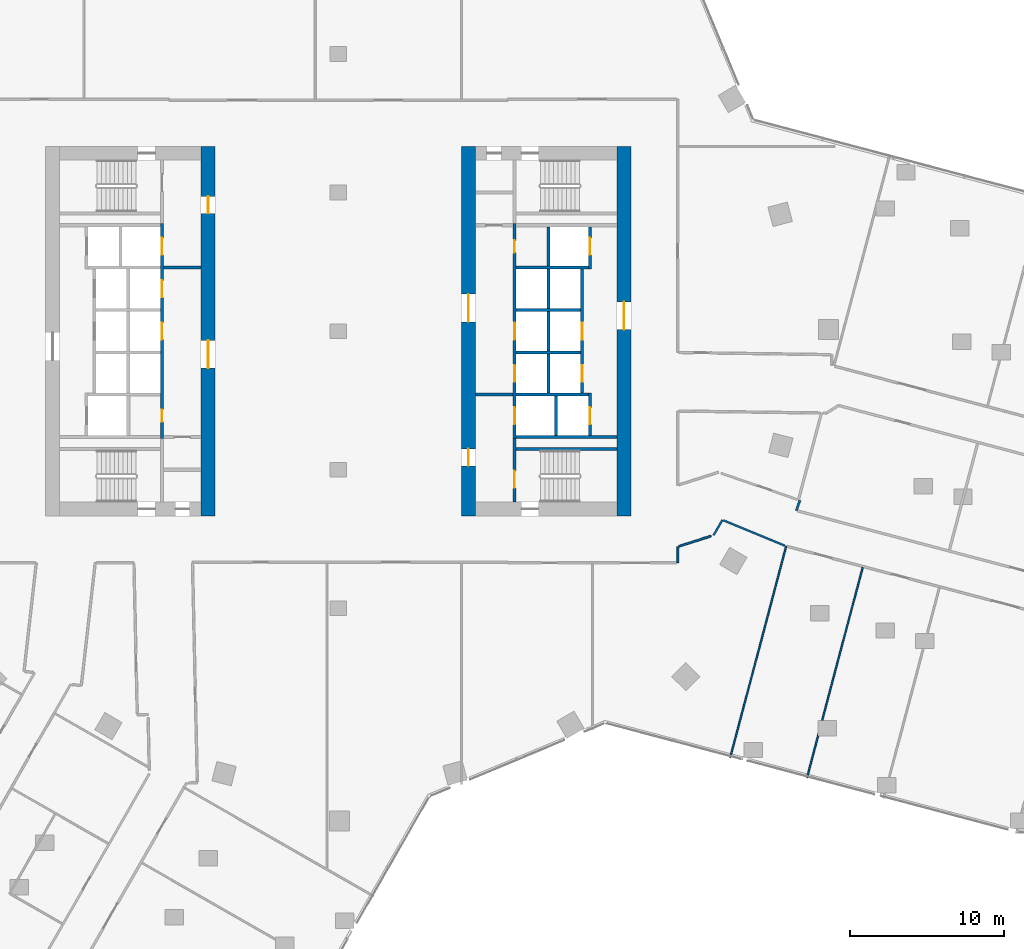
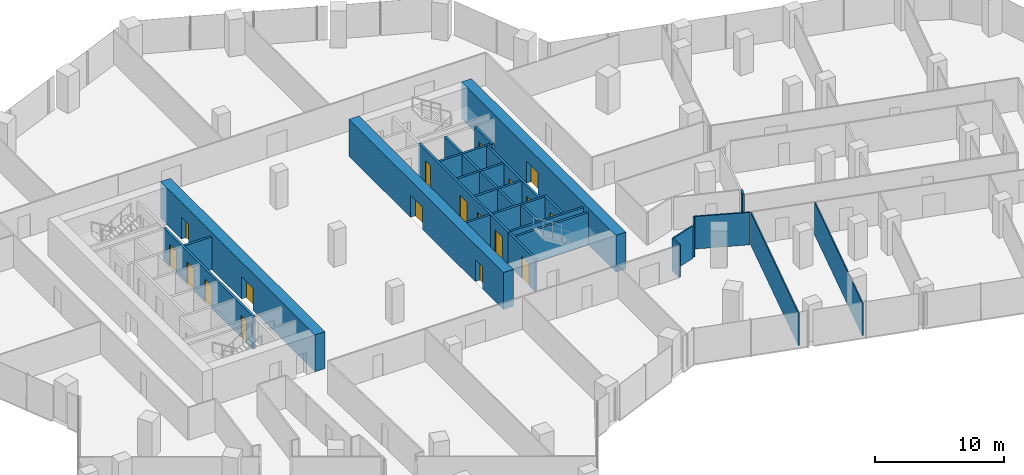
# One storey, part 28 of 34: 29 walls, 18 doors, 18 openings.
"""IFC4 building model written with IfcOpenShell, lengths in metres."""

from ifc_helpers import new_model, si_unit, direction, frame, frame_2d, origin, place, context, subcontext, project, spatial, rectangle, extrude, material, layer, layer_set, type_object, element, fill, save


model = new_model("IFC4")

# Units and contexts
model_context = context("Model", 3, precision=1e-05, world=origin(), true_north=direction((0.0, 1.0)))
body_context = subcontext(model_context, "Body", "Model", "MODEL_VIEW")
ifc_project = project(units=[si_unit("LENGTHUNIT", "METRE"), si_unit("AREAUNIT", "SQUARE_METRE"), si_unit("VOLUMEUNIT", "CUBIC_METRE"), si_unit("PLANEANGLEUNIT", "RADIAN"), si_unit("MASSUNIT", "GRAM", prefix="KILO")], contexts=[model_context])

# Site, building, storey
site_placement = place(None, origin())
site = spatial("IfcSite", under=ifc_project, at=site_placement, CompositionType="ELEMENT")
building_placement = place(site_placement, origin())
building = spatial("IfcBuilding", under=site, at=building_placement, Name="Orlundy Tower", CompositionType="ELEMENT")
storey_placement = place(building_placement, frame((0.0, 0.0, 112.699951171875)))
storey = spatial("IfcBuildingStorey", under=building, at=storey_placement, Name="L28", CompositionType="ELEMENT", Elevation=112.699951171875)

# Wall, openings, doors
ifc_material_1 = material(Name="Concrete C80/95", Category="concrete")
ifc_layer_1 = layer(ifc_material_1, 0.89990234375)
ifc_layer_set_1 = layer_set([ifc_layer_1], Name="CORE WALL 900 C80/95")
wall_type_1 = type_object("IfcWallType", Name="CORE WALL 900 C80/95", PredefinedType="SHEAR", material=ifc_layer_set_1)
wall_1_placement = place(storey_placement, frame((-8.449951171875, -12.0, 0.0), z_axis=(0.0, 0.0, 1.0), x_axis=(0.0, 1.0, 0.0)))
wall_1 = element("IfcWall", 1, at=wall_1_placement, inside=storey, type_object=wall_type_1, Name="Core wall W-E L28", PredefinedType="SHEAR", context=body_context, shape_type="SweptSolid", body=[
    extrude(rectangle(XDim=24.0, YDim=0.89990234375, at=frame_2d((12.0, 0.0))), origin(), (0.0, 0.0, 1.0), 3.5),
])
opening_1_placement = place(wall_1_placement, frame((9.60009765625, 0.0, 0.0)))
opening_1 = element("IfcOpeningElement", 2, at=opening_1_placement, cuts=wall_1, Name="Opening 21009", PredefinedType="OPENING", context=body_context, shape_type="SweptSolid", body=[
    extrude(rectangle(XDim=1.800048828125, YDim=2.10009765625, at=frame_2d((0.89990234375, 1.050048828125))), frame((0.0, 0.4599609375, 0.0), z_axis=(0.0, -1.0, 0.0), x_axis=(1.0, 0.0, 0.0)), (0.0, 0.0, 1.0), 0.919921875),
])
opening_2_placement = place(wall_1_placement, frame((19.64990234375, 0.0, 0.0)))
opening_2 = element("IfcOpeningElement", 3, at=opening_2_placement, cuts=wall_1, Name="Opening 21011", PredefinedType="OPENING", context=body_context, shape_type="SweptSolid", body=[
    extrude(rectangle(XDim=1.10009765625, YDim=2.10009765625, at=frame_2d((0.550048828125, 1.050048828125))), frame((0.0, 0.4599609375, 0.0), z_axis=(0.0, -1.0, 0.0), x_axis=(1.0, 0.0, 0.0)), (0.0, 0.0, 1.0), 0.919921875),
])
ifc_material_2 = material(Name="Steel door set", Category="steel")
door_type_1 = type_object("IfcDoorType", Name="Fire-fighting Lobby Door 1100x2100", OperationType="SINGLE_SWING_LEFT", PredefinedType="DOOR", material=ifc_material_2)
door_1_placement = place(opening_2_placement, origin())
door_1 = element("IfcDoor", 4, at=door_1_placement, inside=storey, type_object=door_type_1, Name="Fire-fighting lobby door 21011", OperationType="SINGLE_SWING_RIGHT", OverallHeight=2.10009765625, OverallWidth=1.10009765625, PredefinedType="DOOR", context=body_context, shape_type="SweptSolid", body=[
    extrude(rectangle(XDim=1.10009765625, YDim=2.10009765625, at=frame_2d((0.550048828125, 1.050048828125))), frame((0.0, 0.02490234375, 0.0), z_axis=(0.0, -1.0, 0.0), x_axis=(1.0, 0.0, 0.0)), (0.0, 0.0, 1.0), 0.050048828125),
])
fill(opening_2, door_1)
ifc_material_3 = material(Name="Timber door set", Category="wood")
door_type_2 = type_object("IfcDoorType", Name="Lobby Door 1800x2100", OperationType="DOUBLE_DOOR_DOUBLE_SWING", PredefinedType="DOOR", material=ifc_material_3)
door_2_placement = place(opening_1_placement, origin())
door_2 = element("IfcDoor", 5, at=door_2_placement, inside=storey, type_object=door_type_2, Name="Lift lobby door 21009", OperationType="SINGLE_SWING_LEFT", OverallHeight=2.10009765625, OverallWidth=1.800048828125, PredefinedType="DOOR", context=body_context, shape_type="SweptSolid", body=[
    extrude(rectangle(XDim=1.800048828125, YDim=2.10009765625, at=frame_2d((0.89990234375, 1.050048828125))), frame((0.0, 0.02490234375, 0.0), z_axis=(0.0, -1.0, 0.0), x_axis=(1.0, 0.0, 0.0)), (0.0, 0.0, 1.0), 0.050048828125),
])
fill(opening_1, door_2)

wall_2_placement = place(storey_placement, frame((8.449951171875, -12.0, 0.0), z_axis=(0.0, 0.0, 1.0), x_axis=(0.0, 1.0, 0.0)))
wall_2 = element("IfcWall", 6, at=wall_2_placement, inside=storey, type_object=wall_type_1, Name="Core wall E-W L28", PredefinedType="SHEAR", context=body_context, shape_type="SweptSolid", body=[
    extrude(rectangle(XDim=24.0, YDim=0.89990234375, at=frame_2d((12.0, 0.0))), origin(), (0.0, 0.0, 1.0), 3.5),
])
opening_3_placement = place(wall_2_placement, frame((12.60009765625, 0.0, 0.0)))
opening_3 = element("IfcOpeningElement", 7, at=opening_3_placement, cuts=wall_2, Name="Opening 21058", PredefinedType="OPENING", context=body_context, shape_type="SweptSolid", body=[
    extrude(rectangle(XDim=1.800048828125, YDim=2.10009765625, at=frame_2d((0.89990234375, 1.050048828125))), frame((0.0, 0.4599609375, 0.0), z_axis=(0.0, -1.0, 0.0), x_axis=(1.0, 0.0, 0.0)), (0.0, 0.0, 1.0), 0.919921875),
])
opening_4_placement = place(wall_2_placement, frame((3.25, 0.0, 0.0)))
opening_4 = element("IfcOpeningElement", 8, at=opening_4_placement, cuts=wall_2, Name="Opening 21060", PredefinedType="OPENING", context=body_context, shape_type="SweptSolid", body=[
    extrude(rectangle(XDim=1.10009765625, YDim=2.10009765625, at=frame_2d((0.550048828125, 1.050048828125))), frame((0.0, 0.4599609375, 0.0), z_axis=(0.0, -1.0, 0.0), x_axis=(1.0, 0.0, 0.0)), (0.0, 0.0, 1.0), 0.919921875),
])
door_3_placement = place(opening_4_placement, origin())
door_3 = element("IfcDoor", 9, at=door_3_placement, inside=storey, type_object=door_type_1, Name="Fire-fighting lobby door 21060", OperationType="SINGLE_SWING_LEFT", OverallHeight=2.10009765625, OverallWidth=1.10009765625, PredefinedType="DOOR", context=body_context, shape_type="SweptSolid", body=[
    extrude(rectangle(XDim=1.10009765625, YDim=2.10009765625, at=frame_2d((0.550048828125, 1.050048828125))), frame((0.0, 0.02490234375, 0.0), z_axis=(0.0, -1.0, 0.0), x_axis=(1.0, 0.0, 0.0)), (0.0, 0.0, 1.0), 0.050048828125),
])
fill(opening_4, door_3)
door_4_placement = place(opening_3_placement, origin())
door_4 = element("IfcDoor", 10, at=door_4_placement, inside=storey, type_object=door_type_2, Name="Lift lobby door 21058", OperationType="SINGLE_SWING_RIGHT", OverallHeight=2.10009765625, OverallWidth=1.800048828125, PredefinedType="DOOR", context=body_context, shape_type="SweptSolid", body=[
    extrude(rectangle(XDim=1.800048828125, YDim=2.10009765625, at=frame_2d((0.89990234375, 1.050048828125))), frame((0.0, 0.02490234375, 0.0), z_axis=(0.0, -1.0, 0.0), x_axis=(1.0, 0.0, 0.0)), (0.0, 0.0, 1.0), 0.050048828125),
])
fill(opening_3, door_4)

# Wall, opening, door
wall_3_placement = place(storey_placement, frame((18.550048828125, -12.0, 0.0), z_axis=(0.0, 0.0, 1.0), x_axis=(0.0, 1.0, 0.0)))
wall_3 = element("IfcWall", 11, at=wall_3_placement, inside=storey, type_object=wall_type_1, Name="Core wall E-E L28", PredefinedType="SHEAR", context=body_context, shape_type="SweptSolid", body=[
    extrude(rectangle(XDim=24.0, YDim=0.89990234375, at=frame_2d((12.0, 0.0))), origin(), (0.0, 0.0, 1.0), 3.5),
])
opening_5_placement = place(wall_3_placement, frame((12.10009765625, 0.0, 0.0)))
opening_5 = element("IfcOpeningElement", 12, at=opening_5_placement, cuts=wall_3, Name="Opening 21059", PredefinedType="OPENING", context=body_context, shape_type="SweptSolid", body=[
    extrude(rectangle(XDim=1.800048828125, YDim=2.10009765625, at=frame_2d((0.89990234375, 1.050048828125))), frame((0.0, 0.4599609375, 0.0), z_axis=(0.0, -1.0, 0.0), x_axis=(1.0, 0.0, 0.0)), (0.0, 0.0, 1.0), 0.919921875),
])
door_5_placement = place(opening_5_placement, origin())
door_5 = element("IfcDoor", 13, at=door_5_placement, inside=storey, type_object=door_type_2, Name="Lift lobby door 21059", OperationType="SINGLE_SWING_RIGHT", OverallHeight=2.10009765625, OverallWidth=1.800048828125, PredefinedType="DOOR", context=body_context, shape_type="SweptSolid", body=[
    extrude(rectangle(XDim=1.800048828125, YDim=2.10009765625, at=frame_2d((0.89990234375, 1.050048828125))), frame((0.0, 0.02490234375, 0.0), z_axis=(0.0, -1.0, 0.0), x_axis=(1.0, 0.0, 0.0)), (0.0, 0.0, 1.0), 0.050048828125),
])
fill(opening_5, door_5)

# Walls
ifc_material_4 = material(Name="Gypsum board partition")
ifc_layer_2 = layer(ifc_material_4, 0.10009765625)
ifc_layer_set_2 = layer_set([ifc_layer_2], Name="Floor partition 100")
wall_type_2 = type_object("IfcWallType", Name="Floor partition 100", PredefinedType="PARTITIONING", material=ifc_layer_set_2)
wall_4_placement = place(storey_placement, frame((30.43408203125, -29.008056640625, 0.0), z_axis=(0.0, 0.0, 1.0), x_axis=(0.256051093289, 0.96666324934, 0.0)))
element("IfcWall", 14, at=wall_4_placement, inside=storey, type_object=wall_type_2, Name="wall-int-L28-065", PredefinedType="PARTITIONING", context=body_context, shape_type="SweptSolid", body=[
    extrude(rectangle(XDim=14.13720703125, YDim=0.10009765625, at=frame_2d((7.068603515625, 0.0))), origin(), (0.0, 0.0, 1.0), 3.080078125),
])
wall_5_placement = place(storey_placement, frame((25.452880859375, -27.68896484375, 0.0), z_axis=(0.0, 0.0, 1.0), x_axis=(0.255983290364, 0.966681206528, 0.0)))
element("IfcWall", 15, at=wall_5_placement, inside=storey, type_object=wall_type_2, Name="wall-int-L28-066", PredefinedType="PARTITIONING", context=body_context, shape_type="SweptSolid", body=[
    extrude(rectangle(XDim=14.2001953125, YDim=0.10009765625, at=frame_2d((7.10009765625, 0.0))), origin(), (0.0, 0.0, 1.0), 3.080078125),
])
ifc_material_5 = material(Name="Gypsum board partition, double layer")
ifc_layer_3 = layer(ifc_material_5, 0.125)
ifc_layer_set_3 = layer_set([ifc_layer_3], Name="Floor partition 125")
wall_type_3 = type_object("IfcWallType", Name="Floor partition 125", PredefinedType="PARTITIONING", material=ifc_layer_set_3)
wall_6_placement = place(storey_placement, frame((25.006103515625, -12.285888671875, 0.0), z_axis=(0.0, 0.0, 1.0), x_axis=(0.924527003777, -0.38111654292, 0.0)))
element("IfcWall", 16, at=wall_6_placement, inside=storey, type_object=wall_type_3, Name="wall-int-L28-005", PredefinedType="PARTITIONING", context=body_context, shape_type="SweptSolid", body=[
    extrude(rectangle(XDim=4.31884765625, YDim=0.125, at=frame_2d((2.159423828125, 0.0))), origin(), (0.0, 0.0, 1.0), 3.080078125),
])
wall_7_placement = place(storey_placement, frame((22.133056640625, -13.971923828125, 0.0), z_axis=(0.0, 0.0, 1.0), x_axis=(0.952283953223, 0.30521348665, 0.0)))
element("IfcWall", 17, at=wall_7_placement, inside=storey, type_object=wall_type_3, Name="wall-int-L28-043", PredefinedType="PARTITIONING", context=body_context, shape_type="SweptSolid", body=[
    extrude(rectangle(XDim=2.185302734375, YDim=0.125, at=frame_2d((1.0927734375, 0.0))), origin(), (0.0, 0.0, 1.0), 3.080078125),
])
wall_8_placement = place(storey_placement, frame((24.368896484375, -13.2548828125, 0.0), z_axis=(0.0, 0.0, 1.0), x_axis=(0.503804993987, 0.863817415913, 0.0)))
element("IfcWall", 18, at=wall_8_placement, inside=storey, type_object=wall_type_3, Name="wall-int-L28-046", PredefinedType="PARTITIONING", context=body_context, shape_type="SweptSolid", body=[
    extrude(rectangle(XDim=1.1494140625, YDim=0.125, at=frame_2d((0.57470703125, 0.0))), origin(), (0.0, 0.0, 1.0), 3.080078125),
])
wall_9_placement = place(storey_placement, frame((22.051025390625, -15.050048828125, 0.0), z_axis=(0.0, 0.0, 1.0), x_axis=(0.0, 1.0, 0.0)))
element("IfcWall", 19, at=wall_9_placement, inside=storey, type_object=wall_type_3, Name="wall-int-L28-073", PredefinedType="PARTITIONING", context=body_context, shape_type="SweptSolid", body=[
    extrude(rectangle(XDim=1.052001953125, YDim=0.125, at=frame_2d((0.52587890625, 0.0))), origin(), (0.0, 0.0, 1.0), 3.080078125),
])
ifc_material_6 = material(Name="Blockwork shaft wall", Category="masonry")
ifc_layer_4 = layer(ifc_material_6, 0.14990234375)
ifc_layer_set_4 = layer_set([ifc_layer_4], Name="Floor shaft wall 150")
wall_type_4 = type_object("IfcWallType", Name="Floor shaft wall 150", PredefinedType="PARTITIONING", material=ifc_layer_set_4)
wall_10_placement = place(storey_placement, frame((29.74609375, -11.653076171875, 0.0), z_axis=(0.0, 0.0, 1.0), x_axis=(0.326055233701, 0.945350720408, 0.0)))
element("IfcWall", 20, at=wall_10_placement, inside=storey, type_object=wall_type_4, Name="wall-int-L28-056", PredefinedType="PARTITIONING", context=body_context, shape_type="SweptSolid", body=[
    extrude(rectangle(XDim=0.699462890625, YDim=0.14990234375, at=frame_2d((0.349609375, 0.0))), origin(), (0.0, 0.0, 1.0), 3.080078125),
])

# Wall, opening, door
ifc_material_7 = material(Name="Concrete C40/50", Category="concrete")
ifc_layer_5 = layer(ifc_material_7, 0.199951171875)
ifc_layer_set_5 = layer_set([ifc_layer_5], Name="Load-bearing Shaft Wall 200")
wall_type_5 = type_object("IfcWallType", Name="Load-bearing Shaft Wall 200", PredefinedType="SOLIDWALL", material=ifc_layer_set_5)
wall_11_placement = place(storey_placement, frame((11.43994140625, -6.97509765625, 0.0), z_axis=(0.0, 0.0, 1.0), x_axis=(0.0, -1.0, 0.0)))
wall_11 = element("IfcWall", 21, at=wall_11_placement, inside=storey, type_object=wall_type_5, Name="Shaft wall E21-stair-end-n", PredefinedType="SOLIDWALL", context=body_context, shape_type="SweptSolid", body=[
    extrude(rectangle(XDim=4.125, YDim=0.199951171875, at=frame_2d((2.0625, 0.0))), origin(), (0.0, 0.0, 1.0), 3.090087890625),
])
opening_6_placement = place(wall_11_placement, frame((2.10009765625, 0.0, 0.0)))
opening_6 = element("IfcOpeningElement", 22, at=opening_6_placement, cuts=wall_11, Name="Opening 21063", PredefinedType="OPENING", context=body_context, shape_type="SweptSolid", body=[
    extrude(rectangle(XDim=1.10009765625, YDim=2.10009765625, at=frame_2d((0.550048828125, 1.050048828125))), frame((0.0, 0.110107421875, 0.0), z_axis=(0.0, -1.0, 0.0), x_axis=(1.0, 0.0, 0.0)), (0.0, 0.0, 1.0), 0.22021484375),
])
door_6_placement = place(opening_6_placement, origin())
door_6 = element("IfcDoor", 23, at=door_6_placement, inside=storey, type_object=door_type_1, Name="Fire-fighting lobby to stair door 21063", OperationType="SINGLE_SWING_RIGHT", OverallHeight=2.10009765625, OverallWidth=1.10009765625, PredefinedType="DOOR", context=body_context, shape_type="SweptSolid", body=[
    extrude(rectangle(XDim=1.10009765625, YDim=2.10009765625, at=frame_2d((0.550048828125, 1.050048828125))), frame((0.0, 0.02490234375, 0.0), z_axis=(0.0, -1.0, 0.0), x_axis=(1.0, 0.0, 0.0)), (0.0, 0.0, 1.0), 0.050048828125),
])
fill(opening_6, door_6)

# Walls
wall_12_placement = place(storey_placement, frame((11.5400390625, -7.64990234375, 0.0), z_axis=(0.0, 0.0, 1.0), x_axis=(1.0, 0.0, 0.0)))
element("IfcWall", 24, at=wall_12_placement, inside=storey, type_object=wall_type_5, Name="Shaft wall E21-stair-side-n", PredefinedType="SOLIDWALL", context=body_context, shape_type="SweptSolid", body=[
    extrude(rectangle(XDim=6.56005859375, YDim=0.199951171875, at=frame_2d((3.280029296875, 0.0))), origin(), (0.0, 0.0, 1.0), 3.090087890625),
])
ifc_material_8 = material(Name="Gypsum board partition on steel studs", Category="steel")
ifc_layer_6 = layer(ifc_material_8, 0.199951171875)
ifc_layer_set_6 = layer_set([ifc_layer_6], Name="Partition 200")
wall_type_6 = type_object("IfcWallType", Name="Partition 200", PredefinedType="PARTITIONING", material=ifc_layer_set_6)
for number, where, z_axis, x_axis, name in (
    (25, (-8.89990234375, 4.125, 0.0), (0.0, 0.0, 1.0), (-1.0, 0.0, 0.0), "Partition wall W21-lobby-n"),
    (26, (8.89990234375, -4.125, 0.0), (0.0, 0.0, 1.0), (1.0, 0.0, 0.0), "Partition wall E21-lobby-n"),
):
    element("IfcWall", number, at=place(storey_placement, frame(where, z_axis=z_axis, x_axis=x_axis)), inside=storey, type_object=wall_type_6, Name=name, PredefinedType="PARTITIONING", context=body_context, shape_type="SweptSolid", body=[
        extrude(rectangle(XDim=2.440185546875, YDim=0.199951171875, at=frame_2d((1.22021484375, 0.0))), origin(), (0.0, 0.0, 1.0), 3.090087890625),
    ])

# Wall, openings, doors
ifc_material_9 = material(Name="Fire-rated blockwork shaft wall", Category="masonry")
ifc_layer_7 = layer(ifc_material_9, 0.199951171875)
ifc_layer_set_7 = layer_set([ifc_layer_7], Name="Shaft Wall 200")
wall_type_7 = type_object("IfcWallType", Name="Shaft Wall 200", PredefinedType="SOLIDWALL", material=ifc_layer_set_7)
wall_13_placement = place(storey_placement, frame((-11.43994140625, -6.97509765625, 0.0), z_axis=(0.0, 0.0, 1.0), x_axis=(0.0, 1.0, 0.0)))
wall_13 = element("IfcWall", 27, at=wall_13_placement, inside=storey, type_object=wall_type_7, Name="Shaft wall W21-front-h", PredefinedType="SOLIDWALL", context=body_context, shape_type="SweptSolid", body=[
    extrude(rectangle(XDim=13.9501953125, YDim=0.199951171875, at=frame_2d((6.97509765625, 0.0))), origin(), (0.0, 0.0, 1.0), 3.090087890625),
])
opening_7_placement = place(wall_13_placement, frame((6.425048828125, 0.0, 0.0)))
opening_7 = element("IfcOpeningElement", 28, at=opening_7_placement, cuts=wall_13, Name="Opening 21002", PredefinedType="OPENING", context=body_context, shape_type="SweptSolid", body=[
    extrude(rectangle(XDim=1.10009765625, YDim=2.10009765625, at=frame_2d((0.550048828125, 1.050048828125))), frame((0.0, 0.110107421875, 0.0), z_axis=(0.0, -1.0, 0.0), x_axis=(1.0, 0.0, 0.0)), (0.0, 0.0, 1.0), 0.22021484375),
])
opening_8_placement = place(wall_13_placement, frame((9.175048828125, 0.0, 0.0)))
opening_8 = element("IfcOpeningElement", 29, at=opening_8_placement, cuts=wall_13, Name="Opening 21004", PredefinedType="OPENING", context=body_context, shape_type="SweptSolid", body=[
    extrude(rectangle(XDim=1.10009765625, YDim=2.10009765625, at=frame_2d((0.550048828125, 1.050048828125))), frame((0.0, 0.110107421875, 0.0), z_axis=(0.0, -1.0, 0.0), x_axis=(1.0, 0.0, 0.0)), (0.0, 0.0, 1.0), 0.22021484375),
])
opening_9_placement = place(wall_13_placement, frame((11.925048828125, 0.0, 0.0)))
opening_9 = element("IfcOpeningElement", 30, at=opening_9_placement, cuts=wall_13, Name="Opening 21006", PredefinedType="OPENING", context=body_context, shape_type="SweptSolid", body=[
    extrude(rectangle(XDim=1.10009765625, YDim=2.10009765625, at=frame_2d((0.550048828125, 1.050048828125))), frame((0.0, 0.110107421875, 0.0), z_axis=(0.0, -1.0, 0.0), x_axis=(1.0, 0.0, 0.0)), (0.0, 0.0, 1.0), 0.22021484375),
])
opening_10_placement = place(wall_13_placement, frame((1.074951171875, 0.0, 0.0)))
opening_10 = element("IfcOpeningElement", 31, at=opening_10_placement, cuts=wall_13, Name="Opening 21008", PredefinedType="OPENING", context=body_context, shape_type="SweptSolid", body=[
    extrude(rectangle(XDim=0.800048828125, YDim=2.10009765625, at=frame_2d((0.39990234375, 1.050048828125))), frame((0.0, 0.110107421875, 0.0), z_axis=(0.0, -1.0, 0.0), x_axis=(1.0, 0.0, 0.0)), (0.0, 0.0, 1.0), 0.22021484375),
])
ifc_material_10 = material(Name="Steel door set", Category="steel")
door_type_3 = type_object("IfcDoorType", Name="Landing Door 1100x2100", OperationType="DOUBLE_DOOR_SLIDING", PredefinedType="DOOR", material=ifc_material_10)
door_7_placement = place(opening_7_placement, origin())
door_7 = element("IfcDoor", 32, at=door_7_placement, inside=storey, type_object=door_type_3, Name="Lift landing door LP-05 21002", OperationType="DOUBLE_DOOR_SLIDING", OverallHeight=2.10009765625, OverallWidth=1.10009765625, PredefinedType="DOOR", context=body_context, shape_type="SweptSolid", body=[
    extrude(rectangle(XDim=1.10009765625, YDim=2.10009765625, at=frame_2d((0.550048828125, 1.050048828125))), frame((0.0, 0.02490234375, 0.0), z_axis=(0.0, -1.0, 0.0), x_axis=(1.0, 0.0, 0.0)), (0.0, 0.0, 1.0), 0.050048828125),
])
fill(opening_7, door_7)
door_8_placement = place(opening_8_placement, origin())
door_8 = element("IfcDoor", 33, at=door_8_placement, inside=storey, type_object=door_type_3, Name="Lift landing door LP-02 21004", OperationType="DOUBLE_DOOR_SLIDING", OverallHeight=2.10009765625, OverallWidth=1.10009765625, PredefinedType="DOOR", context=body_context, shape_type="SweptSolid", body=[
    extrude(rectangle(XDim=1.10009765625, YDim=2.10009765625, at=frame_2d((0.550048828125, 1.050048828125))), frame((0.0, 0.02490234375, 0.0), z_axis=(0.0, -1.0, 0.0), x_axis=(1.0, 0.0, 0.0)), (0.0, 0.0, 1.0), 0.050048828125),
])
fill(opening_8, door_8)
door_9_placement = place(opening_9_placement, origin())
door_9 = element("IfcDoor", 34, at=door_9_placement, inside=storey, type_object=door_type_3, Name="Lift landing door FL1 21006", OperationType="DOUBLE_DOOR_SLIDING", OverallHeight=2.10009765625, OverallWidth=1.10009765625, PredefinedType="DOOR", context=body_context, shape_type="SweptSolid", body=[
    extrude(rectangle(XDim=1.10009765625, YDim=2.10009765625, at=frame_2d((0.550048828125, 1.050048828125))), frame((0.0, 0.02490234375, 0.0), z_axis=(0.0, -1.0, 0.0), x_axis=(1.0, 0.0, 0.0)), (0.0, 0.0, 1.0), 0.050048828125),
])
fill(opening_9, door_9)
ifc_material_11 = material(Name="Timber door set", Category="wood")
door_type_4 = type_object("IfcDoorType", Name="Riser Door 800x2100", OperationType="SINGLE_SWING_LEFT", PredefinedType="DOOR", material=ifc_material_11)
door_10_placement = place(opening_10_placement, origin())
door_10 = element("IfcDoor", 35, at=door_10_placement, inside=storey, type_object=door_type_4, Name="Electrical Riser Room door 21008", OperationType="SINGLE_SWING_LEFT", OverallHeight=2.10009765625, OverallWidth=0.800048828125, PredefinedType="DOOR", context=body_context, shape_type="SweptSolid", body=[
    extrude(rectangle(XDim=0.800048828125, YDim=2.10009765625, at=frame_2d((0.39990234375, 1.050048828125))), frame((0.0, 0.02490234375, 0.0), z_axis=(0.0, -1.0, 0.0), x_axis=(1.0, 0.0, 0.0)), (0.0, 0.0, 1.0), 0.050048828125),
])
fill(opening_10, door_10)

# Walls
wall_14_placement = place(storey_placement, frame((11.5400390625, -6.875, 0.0), z_axis=(0.0, 0.0, 1.0), x_axis=(1.0, 0.0, 0.0)))
element("IfcWall", 36, at=wall_14_placement, inside=storey, type_object=wall_type_7, Name="Shaft wall E21-zone-n", PredefinedType="SOLIDWALL", context=body_context, shape_type="SweptSolid", body=[
    extrude(rectangle(XDim=6.56005859375, YDim=0.199951171875, at=frame_2d((3.280029296875, 0.0))), origin(), (0.0, 0.0, 1.0), 3.090087890625),
])
wall_15_placement = place(storey_placement, frame((11.5400390625, 4.125, 0.0), z_axis=(0.0, 0.0, 1.0), x_axis=(1.0, 0.0, 0.0)))
element("IfcWall", 37, at=wall_15_placement, inside=storey, type_object=wall_type_7, Name="Shaft wall E21-cross-4.125", PredefinedType="SOLIDWALL", context=body_context, shape_type="SweptSolid", body=[
    extrude(rectangle(XDim=4.699951171875, YDim=0.199951171875, at=frame_2d((2.35009765625, 0.0))), origin(), (0.0, 0.0, 1.0), 3.090087890625),
])
for number, where, z_axis, x_axis, name in (
    (38, (11.5400390625, 1.375, 0.0), (0.0, 0.0, 1.0), (1.0, 0.0, 0.0), "Shaft wall E21-cross-1.375"),
    (39, (11.5400390625, -1.375, 0.0), (0.0, 0.0, 1.0), (1.0, 0.0, 0.0), "Shaft wall E21-cross+1.375"),
):
    element("IfcWall", number, at=place(storey_placement, frame(where, z_axis=z_axis, x_axis=x_axis)), inside=storey, type_object=wall_type_7, Name=name, PredefinedType="SOLIDWALL", context=body_context, shape_type="SweptSolid", body=[
        extrude(rectangle(XDim=4.199951171875, YDim=0.199951171875, at=frame_2d((2.10009765625, 0.0))), origin(), (0.0, 0.0, 1.0), 3.090087890625),
    ])
wall_16_placement = place(storey_placement, frame((11.5400390625, -4.125, 0.0), z_axis=(0.0, 0.0, 1.0), x_axis=(1.0, 0.0, 0.0)))
element("IfcWall", 40, at=wall_16_placement, inside=storey, type_object=wall_type_7, Name="Shaft wall E21-cross+4.125", PredefinedType="SOLIDWALL", context=body_context, shape_type="SweptSolid", body=[
    extrude(rectangle(XDim=4.699951171875, YDim=0.199951171875, at=frame_2d((2.35009765625, 0.0))), origin(), (0.0, 0.0, 1.0), 3.090087890625),
])

# Wall, openings, doors
wall_17_placement = place(storey_placement, frame((11.43994140625, 6.97509765625, 0.0), z_axis=(0.0, 0.0, 1.0), x_axis=(0.0, -1.0, 0.0)))
wall_17 = element("IfcWall", 41, at=wall_17_placement, inside=storey, type_object=wall_type_7, Name="Shaft wall E21-front-h", PredefinedType="SOLIDWALL", context=body_context, shape_type="SweptSolid", body=[
    extrude(rectangle(XDim=13.9501953125, YDim=0.199951171875, at=frame_2d((6.97509765625, 0.0))), origin(), (0.0, 0.0, 1.0), 3.090087890625),
])
opening_11_placement = place(wall_17_placement, frame((6.425048828125, 0.0, 0.0)))
opening_11 = element("IfcOpeningElement", 42, at=opening_11_placement, cuts=wall_17, Name="Opening 21051", PredefinedType="OPENING", context=body_context, shape_type="SweptSolid", body=[
    extrude(rectangle(XDim=1.10009765625, YDim=2.10009765625, at=frame_2d((0.550048828125, 1.050048828125))), frame((0.0, 0.110107421875, 0.0), z_axis=(0.0, -1.0, 0.0), x_axis=(1.0, 0.0, 0.0)), (0.0, 0.0, 1.0), 0.22021484375),
])
opening_12_placement = place(wall_17_placement, frame((9.175048828125, 0.0, 0.0)))
opening_12 = element("IfcOpeningElement", 43, at=opening_12_placement, cuts=wall_17, Name="Opening 21053", PredefinedType="OPENING", context=body_context, shape_type="SweptSolid", body=[
    extrude(rectangle(XDim=1.10009765625, YDim=2.10009765625, at=frame_2d((0.550048828125, 1.050048828125))), frame((0.0, 0.110107421875, 0.0), z_axis=(0.0, -1.0, 0.0), x_axis=(1.0, 0.0, 0.0)), (0.0, 0.0, 1.0), 0.22021484375),
])
opening_13_placement = place(wall_17_placement, frame((11.925048828125, 0.0, 0.0)))
opening_13 = element("IfcOpeningElement", 44, at=opening_13_placement, cuts=wall_17, Name="Opening 21055", PredefinedType="OPENING", context=body_context, shape_type="SweptSolid", body=[
    extrude(rectangle(XDim=1.10009765625, YDim=2.10009765625, at=frame_2d((0.550048828125, 1.050048828125))), frame((0.0, 0.110107421875, 0.0), z_axis=(0.0, -1.0, 0.0), x_axis=(1.0, 0.0, 0.0)), (0.0, 0.0, 1.0), 0.22021484375),
])
opening_14_placement = place(wall_17_placement, frame((1.074951171875, 0.0, 0.0)))
opening_14 = element("IfcOpeningElement", 45, at=opening_14_placement, cuts=wall_17, Name="Opening 21057", PredefinedType="OPENING", context=body_context, shape_type="SweptSolid", body=[
    extrude(rectangle(XDim=0.800048828125, YDim=2.10009765625, at=frame_2d((0.39990234375, 1.050048828125))), frame((0.0, 0.110107421875, 0.0), z_axis=(0.0, -1.0, 0.0), x_axis=(1.0, 0.0, 0.0)), (0.0, 0.0, 1.0), 0.22021484375),
])
door_11_placement = place(opening_11_placement, origin())
door_11 = element("IfcDoor", 46, at=door_11_placement, inside=storey, type_object=door_type_3, Name="Lift landing door LP-10 21051", OperationType="DOUBLE_DOOR_SLIDING", OverallHeight=2.10009765625, OverallWidth=1.10009765625, PredefinedType="DOOR", context=body_context, shape_type="SweptSolid", body=[
    extrude(rectangle(XDim=1.10009765625, YDim=2.10009765625, at=frame_2d((0.550048828125, 1.050048828125))), frame((0.0, 0.02490234375, 0.0), z_axis=(0.0, -1.0, 0.0), x_axis=(1.0, 0.0, 0.0)), (0.0, 0.0, 1.0), 0.050048828125),
])
fill(opening_11, door_11)
door_12_placement = place(opening_12_placement, origin())
door_12 = element("IfcDoor", 47, at=door_12_placement, inside=storey, type_object=door_type_3, Name="Lift landing door LP-07 21053", OperationType="DOUBLE_DOOR_SLIDING", OverallHeight=2.10009765625, OverallWidth=1.10009765625, PredefinedType="DOOR", context=body_context, shape_type="SweptSolid", body=[
    extrude(rectangle(XDim=1.10009765625, YDim=2.10009765625, at=frame_2d((0.550048828125, 1.050048828125))), frame((0.0, 0.02490234375, 0.0), z_axis=(0.0, -1.0, 0.0), x_axis=(1.0, 0.0, 0.0)), (0.0, 0.0, 1.0), 0.050048828125),
])
fill(opening_12, door_12)
door_13_placement = place(opening_13_placement, origin())
door_13 = element("IfcDoor", 48, at=door_13_placement, inside=storey, type_object=door_type_3, Name="Lift landing door FL2 21055", OperationType="DOUBLE_DOOR_SLIDING", OverallHeight=2.10009765625, OverallWidth=1.10009765625, PredefinedType="DOOR", context=body_context, shape_type="SweptSolid", body=[
    extrude(rectangle(XDim=1.10009765625, YDim=2.10009765625, at=frame_2d((0.550048828125, 1.050048828125))), frame((0.0, 0.02490234375, 0.0), z_axis=(0.0, -1.0, 0.0), x_axis=(1.0, 0.0, 0.0)), (0.0, 0.0, 1.0), 0.050048828125),
])
fill(opening_13, door_13)
door_14_placement = place(opening_14_placement, origin())
door_14 = element("IfcDoor", 49, at=door_14_placement, inside=storey, type_object=door_type_4, Name="Electrical Riser Room door 21057", OperationType="SINGLE_SWING_LEFT", OverallHeight=2.10009765625, OverallWidth=0.800048828125, PredefinedType="DOOR", context=body_context, shape_type="SweptSolid", body=[
    extrude(rectangle(XDim=0.800048828125, YDim=2.10009765625, at=frame_2d((0.39990234375, 1.050048828125))), frame((0.0, 0.02490234375, 0.0), z_axis=(0.0, -1.0, 0.0), x_axis=(1.0, 0.0, 0.0)), (0.0, 0.0, 1.0), 0.050048828125),
])
fill(opening_14, door_14)

# Walls
for number, where, z_axis, x_axis, name in (
    (50, (13.639892578125, 6.77490234375, 0.0), (0.0, 0.0, 1.0), (0.0, -1.0, 0.0), "Shaft wall E21-mid-a"),
    (51, (13.639892578125, 4.02490234375, 0.0), (0.0, 0.0, 1.0), (0.0, -1.0, 0.0), "Shaft wall E21-mid-a.1"),
    (52, (13.639892578125, 1.27490234375, 0.0), (0.0, 0.0, 1.0), (0.0, -1.0, 0.0), "Shaft wall E21-mid-a.2"),
    (53, (13.639892578125, -1.47509765625, 0.0), (0.0, 0.0, 1.0), (0.0, -1.0, 0.0), "Shaft wall E21-mid-a.3"),
    (54, (14.139892578125, -4.22509765625, 0.0), (0.0, 0.0, 1.0), (0.0, -1.0, 0.0), "Shaft wall E21-mid-b"),
):
    element("IfcWall", number, at=place(storey_placement, frame(where, z_axis=z_axis, x_axis=x_axis)), inside=storey, type_object=wall_type_7, Name=name, PredefinedType="SOLIDWALL", context=body_context, shape_type="SweptSolid", body=[
        extrude(rectangle(XDim=2.5498046875, YDim=0.199951171875, at=frame_2d((1.27490234375, 0.0))), origin(), (0.0, 0.0, 1.0), 3.090087890625),
    ])

# Wall, opening, door
wall_18_placement = place(storey_placement, frame((16.340087890625, 6.77490234375, 0.0), z_axis=(0.0, 0.0, 1.0), x_axis=(0.0, -1.0, 0.0)))
wall_18 = element("IfcWall", 55, at=wall_18_placement, inside=storey, type_object=wall_type_7, Name="Shaft wall E21-front-o-a", PredefinedType="SOLIDWALL", context=body_context, shape_type="SweptSolid", body=[
    extrude(rectangle(XDim=2.75, YDim=0.199951171875, at=frame_2d((1.375, 0.0))), origin(), (0.0, 0.0, 1.0), 3.090087890625),
])
opening_15_placement = place(wall_18_placement, frame((0.72509765625, 0.0, 0.0)))
opening_15 = element("IfcOpeningElement", 56, at=opening_15_placement, cuts=wall_18, Name="Opening 21050", PredefinedType="OPENING", context=body_context, shape_type="SweptSolid", body=[
    extrude(rectangle(XDim=1.10009765625, YDim=2.10009765625, at=frame_2d((0.550048828125, 1.050048828125))), frame((0.0, 0.110107421875, 0.0), z_axis=(0.0, -1.0, 0.0), x_axis=(1.0, 0.0, 0.0)), (0.0, 0.0, 1.0), 0.22021484375),
])
door_15_placement = place(opening_15_placement, origin())
door_15 = element("IfcDoor", 57, at=door_15_placement, inside=storey, type_object=door_type_3, Name="Lift landing door LV-02 21050", OperationType="DOUBLE_DOOR_SLIDING", OverallHeight=2.10009765625, OverallWidth=1.10009765625, PredefinedType="DOOR", context=body_context, shape_type="SweptSolid", body=[
    extrude(rectangle(XDim=1.10009765625, YDim=2.10009765625, at=frame_2d((0.550048828125, 1.050048828125))), frame((0.0, 0.02490234375, 0.0), z_axis=(0.0, -1.0, 0.0), x_axis=(1.0, 0.0, 0.0)), (0.0, 0.0, 1.0), 0.050048828125),
])
fill(opening_15, door_15)

# Wall, openings, doors
wall_19_placement = place(storey_placement, frame((15.840087890625, 4.02490234375, 0.0), z_axis=(0.0, 0.0, 1.0), x_axis=(0.0, -1.0, 0.0)))
wall_19 = element("IfcWall", 58, at=wall_19_placement, inside=storey, type_object=wall_type_7, Name="Shaft wall E21-front-o-b", PredefinedType="SOLIDWALL", context=body_context, shape_type="SweptSolid", body=[
    extrude(rectangle(XDim=8.0498046875, YDim=0.199951171875, at=frame_2d((4.02490234375, 0.0))), origin(), (0.0, 0.0, 1.0), 3.090087890625),
])
opening_16_placement = place(wall_19_placement, frame((3.47509765625, 0.0, 0.0)))
opening_16 = element("IfcOpeningElement", 59, at=opening_16_placement, cuts=wall_19, Name="Opening 21052", PredefinedType="OPENING", context=body_context, shape_type="SweptSolid", body=[
    extrude(rectangle(XDim=1.10009765625, YDim=2.10009765625, at=frame_2d((0.550048828125, 1.050048828125))), frame((0.0, 0.110107421875, 0.0), z_axis=(0.0, -1.0, 0.0), x_axis=(1.0, 0.0, 0.0)), (0.0, 0.0, 1.0), 0.22021484375),
])
opening_17_placement = place(wall_19_placement, frame((6.22509765625, 0.0, 0.0)))
opening_17 = element("IfcOpeningElement", 60, at=opening_17_placement, cuts=wall_19, Name="Opening 21054", PredefinedType="OPENING", context=body_context, shape_type="SweptSolid", body=[
    extrude(rectangle(XDim=1.10009765625, YDim=2.10009765625, at=frame_2d((0.550048828125, 1.050048828125))), frame((0.0, 0.110107421875, 0.0), z_axis=(0.0, -1.0, 0.0), x_axis=(1.0, 0.0, 0.0)), (0.0, 0.0, 1.0), 0.22021484375),
])
door_16_placement = place(opening_16_placement, origin())
door_16 = element("IfcDoor", 61, at=door_16_placement, inside=storey, type_object=door_type_3, Name="Lift landing door LP-06 21052", OperationType="DOUBLE_DOOR_SLIDING", OverallHeight=2.10009765625, OverallWidth=1.10009765625, PredefinedType="DOOR", context=body_context, shape_type="SweptSolid", body=[
    extrude(rectangle(XDim=1.10009765625, YDim=2.10009765625, at=frame_2d((0.550048828125, 1.050048828125))), frame((0.0, 0.02490234375, 0.0), z_axis=(0.0, -1.0, 0.0), x_axis=(1.0, 0.0, 0.0)), (0.0, 0.0, 1.0), 0.050048828125),
])
fill(opening_16, door_16)
door_17_placement = place(opening_17_placement, origin())
door_17 = element("IfcDoor", 62, at=door_17_placement, inside=storey, type_object=door_type_3, Name="Lift landing door LP-08 21054", OperationType="DOUBLE_DOOR_SLIDING", OverallHeight=2.10009765625, OverallWidth=1.10009765625, PredefinedType="DOOR", context=body_context, shape_type="SweptSolid", body=[
    extrude(rectangle(XDim=1.10009765625, YDim=2.10009765625, at=frame_2d((0.550048828125, 1.050048828125))), frame((0.0, 0.02490234375, 0.0), z_axis=(0.0, -1.0, 0.0), x_axis=(1.0, 0.0, 0.0)), (0.0, 0.0, 1.0), 0.050048828125),
])
fill(opening_17, door_17)

# Wall, opening, door
wall_20_placement = place(storey_placement, frame((16.340087890625, -4.02490234375, 0.0), z_axis=(0.0, 0.0, 1.0), x_axis=(0.0, -1.0, 0.0)))
wall_20 = element("IfcWall", 63, at=wall_20_placement, inside=storey, type_object=wall_type_7, Name="Shaft wall E21-front-o-c", PredefinedType="SOLIDWALL", context=body_context, shape_type="SweptSolid", body=[
    extrude(rectangle(XDim=2.75, YDim=0.199951171875, at=frame_2d((1.375, 0.0))), origin(), (0.0, 0.0, 1.0), 3.090087890625),
])
opening_18_placement = place(wall_20_placement, frame((0.925048828125, 0.0, 0.0)))
opening_18 = element("IfcOpeningElement", 64, at=opening_18_placement, cuts=wall_20, Name="Opening 21056", PredefinedType="OPENING", context=body_context, shape_type="SweptSolid", body=[
    extrude(rectangle(XDim=1.10009765625, YDim=2.10009765625, at=frame_2d((0.550048828125, 1.050048828125))), frame((0.0, 0.110107421875, 0.0), z_axis=(0.0, -1.0, 0.0), x_axis=(1.0, 0.0, 0.0)), (0.0, 0.0, 1.0), 0.22021484375),
])
door_18_placement = place(opening_18_placement, origin())
door_18 = element("IfcDoor", 65, at=door_18_placement, inside=storey, type_object=door_type_3, Name="Lift landing door LP-09 21056", OperationType="DOUBLE_DOOR_SLIDING", OverallHeight=2.10009765625, OverallWidth=1.10009765625, PredefinedType="DOOR", context=body_context, shape_type="SweptSolid", body=[
    extrude(rectangle(XDim=1.10009765625, YDim=2.10009765625, at=frame_2d((0.550048828125, 1.050048828125))), frame((0.0, 0.02490234375, 0.0), z_axis=(0.0, -1.0, 0.0), x_axis=(1.0, 0.0, 0.0)), (0.0, 0.0, 1.0), 0.050048828125),
])
fill(opening_18, door_18)

save(model, "model.ifc")
